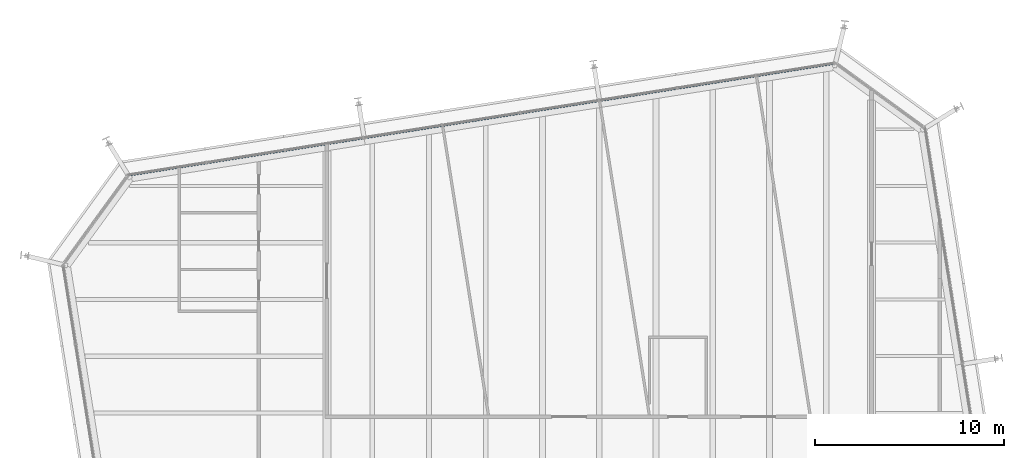
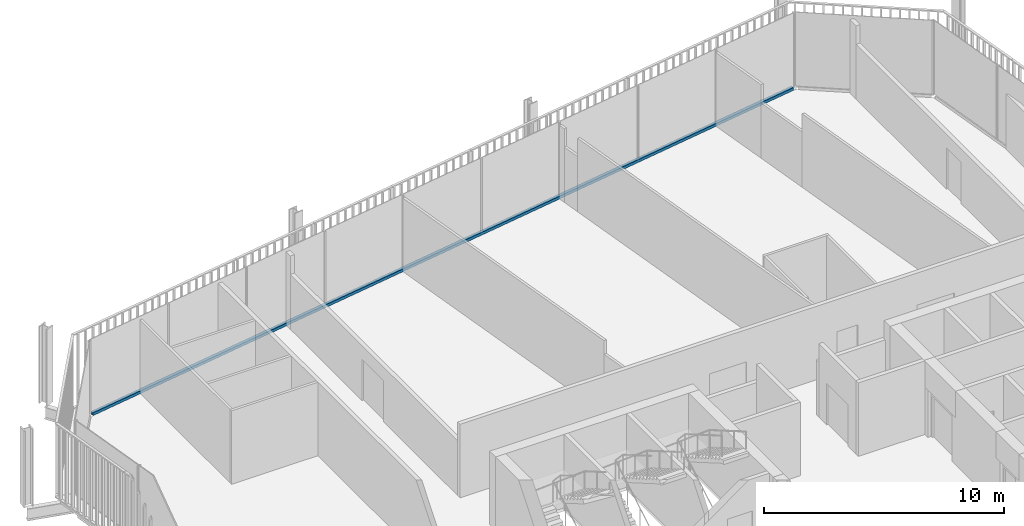
# One storey, part 13 of 20: 1 member, 1 element without a shape of its own.
"""IFC4 building model written with IfcOpenShell, lengths in metres."""

from ifc_helpers import new_model, si_unit, direction, frame, origin, origin_2d, place, context, subcontext, project, spatial, rectangle, extrude, material, layer, layer_set, material_profile, profile_set, type_object, element, aggregate, save


model = new_model("IFC4")

# Units and contexts
model_context = context("Model", 3, precision=1e-05, world=origin(), true_north=direction((0.0, 1.0)))
body_context = subcontext(model_context, "Body", "Model", "MODEL_VIEW")
ifc_project = project(units=[si_unit("LENGTHUNIT", "METRE"), si_unit("AREAUNIT", "SQUARE_METRE"), si_unit("VOLUMEUNIT", "CUBIC_METRE"), si_unit("PLANEANGLEUNIT", "RADIAN"), si_unit("MASSUNIT", "GRAM", prefix="KILO")], contexts=[model_context])

# Site, building, storey
site_placement = place(None, origin())
site = spatial("IfcSite", under=ifc_project, at=site_placement, CompositionType="ELEMENT")
building_placement = place(site_placement, origin())
building = spatial("IfcBuilding", under=site, at=building_placement, Name="Millrace Tower", CompositionType="ELEMENT")
storey_placement = place(building_placement, frame((0.0, 0.0, 251.300048828125)))
storey = spatial("IfcBuildingStorey", under=building, at=storey_placement, Name="L57", CompositionType="ELEMENT", Elevation=251.300048828125)

# Curtain wall, member
ifc_material_1 = material(Name="Aluminium and glass", Category="aluminium")
ifc_layer = layer(ifc_material_1, 0.14990234375)
ifc_layer_set = layer_set([ifc_layer], Name="Aluminium and glass")
curtain_wall_type = type_object("IfcCurtainWallType", Name="CW-1 office vision curtain wall", PredefinedType="NOTDEFINED", material=ifc_layer_set)
curtain_wall_placement = place(storey_placement, origin())
curtain_wall = element("IfcCurtainWall", 1, at=curtain_wall_placement, inside=storey, type_object=curtain_wall_type, Name="Curtain wall D-F06 L57", PredefinedType="NOTDEFINED")
ifc_material_2 = material(Name="Aluminium", Category="aluminium")
ifc_material_profile = material_profile(ifc_material_2, rectangle(XDim=0.14990234375, YDim=0.139892578125, at=origin_2d()))
ifc_profile_set = profile_set([ifc_material_profile], Name="Aluminium")
member_type = type_object("IfcMemberType", Name="CW-1 office vision curtain wall transom", PredefinedType="USERDEFINED", material=ifc_profile_set)
member_placement = place(storey_placement, frame((12.35888671875, 30.48193359375, 0.070068359375), z_axis=(-0.987687829698, -0.156437690685, 0.0), x_axis=(0.156437690685, -0.987687829698, 0.0)))
member = element("IfcMember", 2, at=member_placement, type_object=member_type, Name="CW1 transom D-F06.1", ObjectType="TRANSOM", PredefinedType="USERDEFINED", context=body_context, shape_type="SweptSolid", body=[
    extrude(rectangle(XDim=0.14990234375, YDim=0.139892578125, at=origin_2d()), origin(), (0.0, 0.0, 1.0), 37.60009765625),
])
aggregate(curtain_wall, [member])

save(model, "model.ifc")
